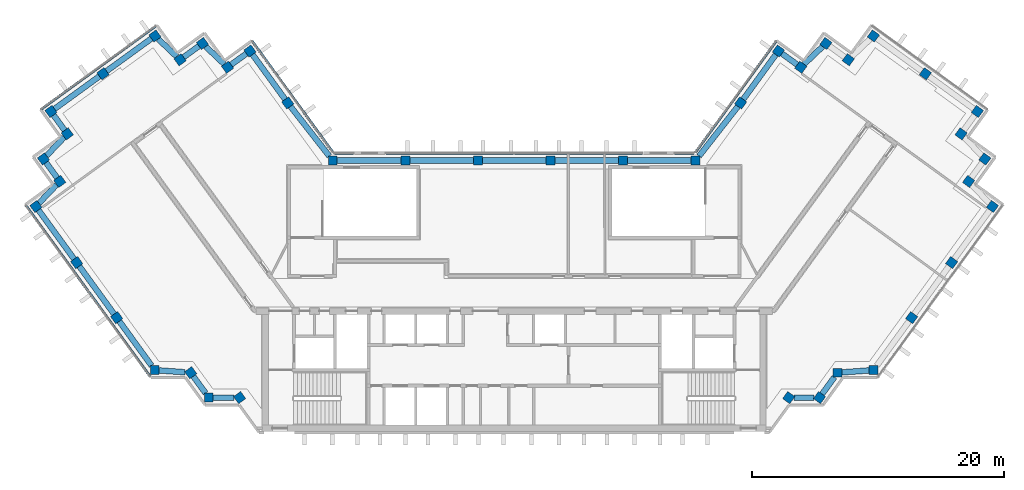
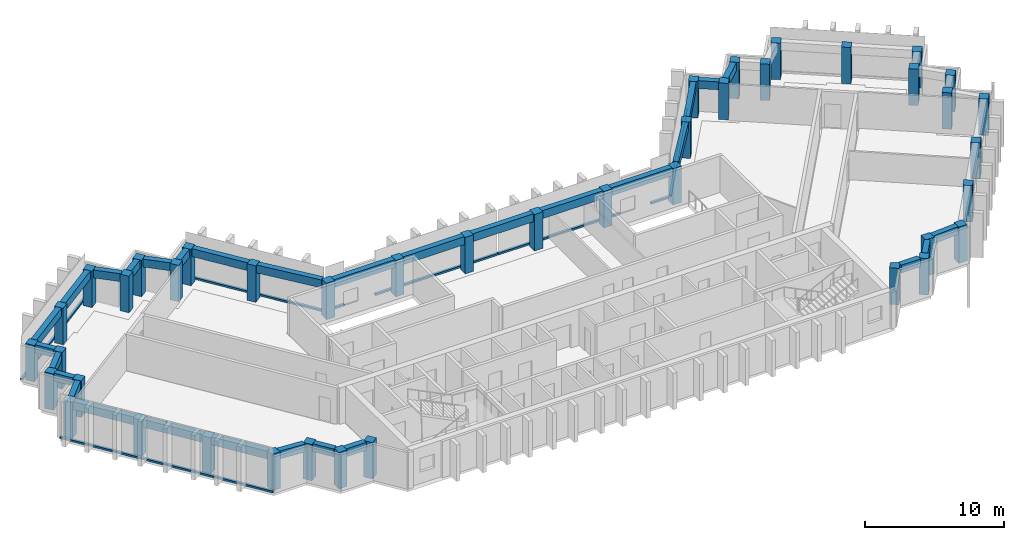
"""IFC4 building model written with IfcOpenShell, lengths in metres."""

from ifc_helpers import new_model, si_unit, direction, frame, origin, origin_2d, place, context, subcontext, project, spatial, rectangle, extrude, material, material_profile, profile_set, type_object, element, aggregate, save


model = new_model("IFC4")

# Units and contexts
model_context = context("Model", 3, precision=1e-05, world=origin(), true_north=direction((0.0, 1.0)))
body_context = subcontext(model_context, "Body", "Model", "MODEL_VIEW")
ifc_project = project(units=[si_unit("LENGTHUNIT", "METRE"), si_unit("AREAUNIT", "SQUARE_METRE"), si_unit("VOLUMEUNIT", "CUBIC_METRE"), si_unit("PLANEANGLEUNIT", "RADIAN"), si_unit("MASSUNIT", "GRAM", prefix="KILO")], contexts=[model_context])

# Site, building, storey
site_placement = place(None, origin())
site = spatial("IfcSite", under=ifc_project, at=site_placement, CompositionType="ELEMENT")
building_placement = place(site_placement, origin())
building = spatial("IfcBuilding", under=site, at=building_placement, Name="Quipu Civic Tower", CompositionType="ELEMENT")
storey_1_placement = place(building_placement, frame((0.0, 0.0, 351.0)))
storey_1 = spatial("IfcBuildingStorey", under=building, at=storey_1_placement, Name="L82", CompositionType="ELEMENT", Elevation=351.0)

# Columns
ifc_material_1 = material(Name="Concrete C40/50", Category="concrete")
ifc_material_profile_1 = material_profile(ifc_material_1, rectangle(XDim=0.699951171875, YDim=0.699951171875, at=origin_2d()), Name="RC700x700")
ifc_profile_set_1 = profile_set([ifc_material_profile_1], Name="Concrete C40/50")
column_type = type_object("IfcColumnType", Name="Perimeter column RC 700x700 C40/50", PredefinedType="COLUMN", material=ifc_profile_set_1)
for number, where, z_axis, x_axis, name in (
    (1, (-17.9736328125, 15.074951171875, 0.0), (0.0, 0.0, 1.0), (-0.587785252292, 0.809016994375, 0.0), "Column L82 W-IN-01"),
    (2, (-20.969970703125, 19.195068359375, 0.0), (0.0, 0.0, 1.0), (-0.587785252292, 0.809016994375, 0.0), "Column L82 T-Wi.0-W22"),
    (3, (-22.749267578125, 17.904296875, 0.0), (0.0, 0.0, 1.0), (-0.587785252292, 0.809016994375, 0.0), "Column L82 T-Wi.1-W22"),
    (4, (-24.739990234375, 19.794921875, 0.0), (0.0, 0.0, 1.0), (-0.587785252292, 0.809016994375, 0.0), "Column L82 T-Wi.2-W22"),
    (5, (-26.51904296875, 18.50048828125, 0.0), (0.0, 0.0, 1.0), (-0.587785252292, 0.809016994375, 0.0), "Column L82 T-Wi.3-W22"),
    (6, (-28.510009765625, 20.389892578125, 0.0), (0.0, 0.0, 1.0), (-0.809016994375, -0.587785252292, 0.0), "Column L82 T-Wi.4-W22"),
    (7, (-32.636962890625, 17.39306640625, 0.0), (0.0, 0.0, 1.0), (-0.809016994375, -0.587785252292, 0.0), "Column L82 TIP-W-01-W22"),
    (8, (-36.764892578125, 14.39501953125, 0.0), (0.0, 0.0, 1.0), (0.587785252292, -0.809016994375, 0.0), "Column L82 T-Wo.0-W22"),
    (9, (-35.470703125, 12.616455078125, 0.0), (0.0, 0.0, 1.0), (-0.809016994375, -0.587785252292, 0.0), "Column L82 T-Wo.1-W22"),
    (10, (-37.360107421875, 10.625, 0.0), (0.0, 0.0, 1.0), (0.587785252292, -0.809016994375, 0.0), "Column L82 T-Wo.2-W22"),
    (11, (-36.068115234375, 8.843994140625, 0.0), (0.0, 0.0, 1.0), (0.587785252292, -0.809016994375, 0.0), "Column L82 T-Wo.3-W22"),
    (12, (-37.9599609375, 6.85498046875, 0.0), (0.0, 0.0, 1.0), (0.587785252292, -0.809016994375, 0.0), "Column L82 T-Wo.4-W22"),
    (13, (-34.722412109375, 2.39990234375, 0.0), (0.0, 0.0, 1.0), (0.587785252292, -0.809016994375, 0.0), "Column L82 W-OUT-02"),
    (14, (-31.54833984375, -1.96875, 0.0), (0.0, 0.0, 1.0), (0.587785252292, -0.809016994375, 0.0), "Column L82 W-OUT-01"),
    (15, (-28.52490234375, -6.1298828125, 0.0), (0.0, 0.0, 1.0), (1.0, 0.0, 0.0), "Column L82 J-Wo.0"),
    (16, (-25.67431640625, -6.3369140625, 0.0), (0.0, 0.0, 1.0), (0.587785252292, -0.809016994375, 0.0), "Column L82 J-Wo.1"),
    (17, (-24.235107421875, -8.31494140625, 0.0), (0.0, 0.0, 1.0), (1.0, 0.0, 0.0), "Column L82 J-Wo.2"),
    (18, (-21.791748046875, -8.31494140625, 0.0), (0.0, 0.0, 1.0), (0.587785252292, -0.809016994375, 0.0), "Column L82 J-Wo.3"),
    (19, (21.791748046875, -8.31494140625, 0.0), (0.0, 0.0, 1.0), (0.587785252292, 0.809016994375, 0.0), "Column L82 J-Eo.1"),
    (20, (24.235107421875, -8.31494140625, 0.0), (0.0, 0.0, 1.0), (0.587785252292, 0.809016994375, 0.0), "Column L82 J-Eo.2"),
    (21, (25.67431640625, -6.3369140625, 0.0), (0.0, 0.0, 1.0), (1.0, 0.0, 0.0), "Column L82 J-Eo.3"),
    (22, (28.52490234375, -6.1298828125, 0.0), (0.0, 0.0, 1.0), (1.0, 0.0, 0.0), "Column L82 J-Eo.4"),
    (23, (31.54833984375, -1.96875, 0.0), (0.0, 0.0, 1.0), (0.587785252292, 0.809016994375, 0.0), "Column L82 E-OUT-01"),
    (24, (34.722412109375, 2.39990234375, 0.0), (0.0, 0.0, 1.0), (0.587785252292, 0.809016994375, 0.0), "Column L82 E-OUT-02"),
    (25, (37.9599609375, 6.85498046875, 0.0), (0.0, 0.0, 1.0), (0.587785252292, 0.809016994375, 0.0), "Column L82 T-Eo.0-E22"),
    (26, (36.068115234375, 8.843994140625, 0.0), (0.0, 0.0, 1.0), (0.587785252292, 0.809016994375, 0.0), "Column L82 T-Eo.1-E22"),
    (27, (37.360107421875, 10.625, 0.0), (0.0, 0.0, 1.0), (0.587785252292, 0.809016994375, 0.0), "Column L82 T-Eo.2-E22"),
    (28, (35.470703125, 12.616455078125, 0.0), (0.0, 0.0, 1.0), (-0.809016994375, 0.587785252292, 0.0), "Column L82 T-Eo.3-E22"),
    (29, (36.764892578125, 14.39501953125, 0.0), (0.0, 0.0, 1.0), (-0.809016994375, 0.587785252292, 0.0), "Column L82 T-Eo.4-E22"),
    (30, (32.636962890625, 17.39306640625, 0.0), (0.0, 0.0, 1.0), (-0.809016994375, 0.587785252292, 0.0), "Column L82 TIP-E-01-E22"),
    (31, (28.510009765625, 20.389892578125, 0.0), (0.0, 0.0, 1.0), (-0.587785252292, -0.809016994375, 0.0), "Column L82 T-Ei.0-E22"),
    (32, (26.51904296875, 18.50048828125, 0.0), (0.0, 0.0, 1.0), (-0.809016994375, 0.587785252292, 0.0), "Column L82 T-Ei.1-E22"),
    (33, (24.739990234375, 19.794921875, 0.0), (0.0, 0.0, 1.0), (-0.587785252292, -0.809016994375, 0.0), "Column L82 T-Ei.2-E22"),
    (34, (22.749267578125, 17.904296875, 0.0), (0.0, 0.0, 1.0), (-0.587785252292, -0.809016994375, 0.0), "Column L82 T-Ei.3-E22"),
    (35, (20.969970703125, 19.195068359375, 0.0), (0.0, 0.0, 1.0), (-0.587785252292, -0.809016994375, 0.0), "Column L82 T-Ei.4-E22"),
    (36, (17.9736328125, 15.074951171875, 0.0), (0.0, 0.0, 1.0), (-0.587785252292, -0.809016994375, 0.0), "Column L82 E-IN-01"),
    (37, (14.395263671875, 10.5, 0.0), (0.0, 0.0, 1.0), (-1.0, 0.0, 0.0), "Column L82 J-Ei.0"),
    (38, (8.63720703125, 10.5, 0.0), (0.0, 0.0, 1.0), (-1.0, 0.0, 0.0), "Column L82 FRONT-01"),
    (39, (2.87890625, 10.5, 0.0), (0.0, 0.0, 1.0), (-1.0, 0.0, 0.0), "Column L82 FRONT-02"),
    (40, (-2.87890625, 10.5, 0.0), (0.0, 0.0, 1.0), (-1.0, 0.0, 0.0), "Column L82 FRONT-03"),
    (41, (-8.63720703125, 10.5, 0.0), (0.0, 0.0, 1.0), (-1.0, 0.0, 0.0), "Column L82 FRONT-04"),
    (42, (-14.395263671875, 10.5, 0.0), (0.0, 0.0, 1.0), (-1.0, 0.0, 0.0), "Column L82 J-Wi.0"),
):
    element("IfcColumn", number, at=place(storey_1_placement, frame(where, z_axis=z_axis, x_axis=x_axis)), inside=storey_1, type_object=column_type, Name=name, PredefinedType="COLUMN", context=body_context, shape_type="SweptSolid", body=[
        extrude(rectangle(XDim=0.699951171875, YDim=0.699951171875, at=origin_2d()), origin(), (0.0, 0.0, 1.0), 3.199951171875),
    ])

# Beams
ifc_material_2 = material(Name="Concrete C50/60", Category="concrete")
ifc_material_profile_2 = material_profile(ifc_material_2, rectangle(XDim=0.449951171875, YDim=0.699951171875, at=origin_2d()), Name="RC450x700")
ifc_profile_set_2 = profile_set([ifc_material_profile_2], Name="Concrete C50/60")
beam_type = type_object("IfcBeamType", Name="Spandrel beam RC 450x700 C50/60", PredefinedType="SPANDREL", material=ifc_profile_set_2)
beam_1_placement = place(storey_1_placement, frame((-18.179443359375, 15.358154296875, 2.85009765625), z_axis=(-0.588201428764, 0.808714460857, 0.0), x_axis=(-0.808714460857, -0.588201428764, 0.0)))
element("IfcBeam", 43, at=beam_1_placement, inside=storey_1, type_object=beam_type, Name="Spandrel beam L82 W-IN-01 to T-Wi.0-W22", PredefinedType="SPANDREL", context=body_context, shape_type="SweptSolid", body=[
    extrude(rectangle(XDim=0.449951171875, YDim=0.699951171875, at=origin_2d()), origin(), (0.0, 0.0, 1.0), 4.394287109375),
])
beam_2_placement = place(storey_1_placement, frame((-21.25341796875, 18.989501953125, 2.85009765625), z_axis=(-0.809461336076, -0.587173181776, 0.0), x_axis=(0.587173181776, -0.809461336076, 0.0)))
element("IfcBeam", 44, at=beam_2_placement, inside=storey_1, type_object=beam_type, Name="Spandrel beam L82 T-Wi.0-W22 to T-Wi.1-W22", PredefinedType="SPANDREL", context=body_context, shape_type="SweptSolid", body=[
    extrude(rectangle(XDim=0.449951171875, YDim=0.699951171875, at=origin_2d()), origin(), (0.0, 0.0, 1.0), 1.498046875),
])
beam_3_placement = place(storey_1_placement, frame((-23.00732421875, 18.1494140625, 2.85009765625), z_axis=(-0.72511931772, 0.6886232461, 0.0), x_axis=(-0.6886232461, -0.72511931772, 0.0)))
element("IfcBeam", 45, at=beam_3_placement, inside=storey_1, type_object=beam_type, Name="Spandrel beam L82 T-Wi.1-W22 to T-Wi.2-W22", PredefinedType="SPANDREL", context=body_context, shape_type="SweptSolid", body=[
    extrude(rectangle(XDim=0.449951171875, YDim=0.699951171875, at=origin_2d()), origin(), (0.0, 0.0, 1.0), 2.03369140625),
])
beam_4_placement = place(storey_1_placement, frame((-25.02294921875, 19.589111328125, 2.85009765625), z_axis=(-0.808644589435, -0.588297482553, 0.0), x_axis=(0.588297482553, -0.808644589435, 0.0)))
element("IfcBeam", 46, at=beam_4_placement, inside=storey_1, type_object=beam_type, Name="Spandrel beam L82 T-Wi.2-W22 to T-Wi.3-W22", PredefinedType="SPANDREL", context=body_context, shape_type="SweptSolid", body=[
    extrude(rectangle(XDim=0.449951171875, YDim=0.699951171875, at=origin_2d()), origin(), (0.0, 0.0, 1.0), 1.500244140625),
])
beam_5_placement = place(storey_1_placement, frame((-26.777099609375, 18.74560546875, 2.85009765625), z_axis=(-0.725359138958, 0.688370626574, 0.0), x_axis=(-0.688370626574, -0.725359138958, 0.0)))
element("IfcBeam", 47, at=beam_5_placement, inside=storey_1, type_object=beam_type, Name="Spandrel beam L82 T-Wi.3-W22 to T-Wi.4-W22", PredefinedType="SPANDREL", context=body_context, shape_type="SweptSolid", body=[
    extrude(rectangle(XDim=0.449951171875, YDim=0.699951171875, at=origin_2d()), origin(), (0.0, 0.0, 1.0), 2.032958984375),
])
beam_6_placement = place(storey_1_placement, frame((-28.793212890625, 20.184326171875, 2.85009765625), z_axis=(-0.809146152767, -0.587607439931, 0.0), x_axis=(0.587607439931, -0.809146152767, 0.0)))
element("IfcBeam", 48, at=beam_6_placement, inside=storey_1, type_object=beam_type, Name="Spandrel beam L82 T-Wi.4-W22 to TIP-W-01-W22", PredefinedType="SPANDREL", context=body_context, shape_type="SweptSolid", body=[
    extrude(rectangle(XDim=0.449951171875, YDim=0.699951171875, at=origin_2d()), origin(), (0.0, 0.0, 1.0), 4.400390625),
])
beam_7_placement = place(storey_1_placement, frame((-32.920166015625, 17.187255859375, 2.85009765625), z_axis=(-0.809117270763, -0.587647208921, 0.0), x_axis=(0.587647208921, -0.809117270763, 0.0)))
element("IfcBeam", 49, at=beam_7_placement, inside=storey_1, type_object=beam_type, Name="Spandrel beam L82 TIP-W-01-W22 to T-Wo.0-W22", PredefinedType="SPANDREL", context=body_context, shape_type="SweptSolid", body=[
    extrude(rectangle(XDim=0.449951171875, YDim=0.699951171875, at=origin_2d()), origin(), (0.0, 0.0, 1.0), 4.40185546875),
])
beam_8_placement = place(storey_1_placement, frame((-36.55908203125, 14.112060546875, 2.85009765625), z_axis=(0.588345920092, -0.808609348394, 0.0), x_axis=(0.808609348394, 0.588345920092, 0.0)))
element("IfcBeam", 50, at=beam_8_placement, inside=storey_1, type_object=beam_type, Name="Spandrel beam L82 T-Wo.0-W22 to T-Wo.1-W22", PredefinedType="SPANDREL", context=body_context, shape_type="SweptSolid", body=[
    extrude(rectangle(XDim=0.449951171875, YDim=0.699951171875, at=origin_2d()), origin(), (0.0, 0.0, 1.0), 1.499755859375),
])
beam_9_placement = place(storey_1_placement, frame((-35.7158203125, 12.358154296875, 2.85009765625), z_axis=(-0.688247466856, -0.725475998477, 0.0), x_axis=(0.725475998477, -0.688247466856, 0.0)))
element("IfcBeam", 51, at=beam_9_placement, inside=storey_1, type_object=beam_type, Name="Spandrel beam L82 T-Wo.1-W22 to T-Wo.2-W22", PredefinedType="SPANDREL", context=body_context, shape_type="SweptSolid", body=[
    extrude(rectangle(XDim=0.449951171875, YDim=0.699951171875, at=origin_2d()), origin(), (0.0, 0.0, 1.0), 2.032958984375),
])
beam_10_placement = place(storey_1_placement, frame((-37.154541015625, 10.341796875, 2.85009765625), z_axis=(0.587164895097, -0.809467347066, 0.0), x_axis=(0.809467347066, 0.587164895097, 0.0)))
element("IfcBeam", 52, at=beam_10_placement, inside=storey_1, type_object=beam_type, Name="Spandrel beam L82 T-Wo.2-W22 to T-Wo.3-W22", PredefinedType="SPANDREL", context=body_context, shape_type="SweptSolid", body=[
    extrude(rectangle(XDim=0.449951171875, YDim=0.699951171875, at=origin_2d()), origin(), (0.0, 0.0, 1.0), 1.500244140625),
])
beam_11_placement = place(storey_1_placement, frame((-36.3134765625, 8.586181640625, 2.85009765625), z_axis=(-0.689175330605, -0.724594620244, 0.0), x_axis=(0.724594620244, -0.689175330605, 0.0)))
element("IfcBeam", 53, at=beam_11_placement, inside=storey_1, type_object=beam_type, Name="Spandrel beam L82 T-Wo.3-W22 to T-Wo.4-W22", PredefinedType="SPANDREL", context=body_context, shape_type="SweptSolid", body=[
    extrude(rectangle(XDim=0.449951171875, YDim=0.699951171875, at=origin_2d()), origin(), (0.0, 0.0, 1.0), 2.033447265625),
])
beam_12_placement = place(storey_1_placement, frame((-37.754150390625, 6.57177734375, 2.85009765625), z_axis=(0.587905928359, -0.808929304328, 0.0), x_axis=(0.808929304328, 0.587905928359, 0.0)))
element("IfcBeam", 54, at=beam_12_placement, inside=storey_1, type_object=beam_type, Name="Spandrel beam L82 T-Wo.4-W22 to W-OUT-02", PredefinedType="SPANDREL", context=body_context, shape_type="SweptSolid", body=[
    extrude(rectangle(XDim=0.449951171875, YDim=0.699951171875, at=origin_2d()), origin(), (0.0, 0.0, 1.0), 4.80712890625),
])
beam_13_placement = place(storey_1_placement, frame((-34.5166015625, 2.116943359375, 2.85009765625), z_axis=(0.587788656305, -0.809014521204, 0.0), x_axis=(0.809014521204, 0.587788656305, 0.0)))
element("IfcBeam", 55, at=beam_13_placement, inside=storey_1, type_object=beam_type, Name="Spandrel beam L82 W-OUT-02 to W-OUT-01", PredefinedType="SPANDREL", context=body_context, shape_type="SweptSolid", body=[
    extrude(rectangle(XDim=0.449951171875, YDim=0.699951171875, at=origin_2d()), origin(), (0.0, 0.0, 1.0), 4.7001953125),
])
beam_14_placement = place(storey_1_placement, frame((-31.342529296875, -2.251953125, 2.85009765625), z_axis=(0.58777550284, -0.809024077677, 0.0), x_axis=(0.809024077677, 0.58777550284, 0.0)))
element("IfcBeam", 56, at=beam_14_placement, inside=storey_1, type_object=beam_type, Name="Spandrel beam L82 W-OUT-01 to J-Wo.0", PredefinedType="SPANDREL", context=body_context, shape_type="SweptSolid", body=[
    extrude(rectangle(XDim=0.449951171875, YDim=0.699951171875, at=origin_2d()), origin(), (0.0, 0.0, 1.0), 4.36083984375),
])
beam_15_placement = place(storey_1_placement, frame((-28.175048828125, -6.155517578125, 2.85009765625), z_axis=(0.99737333325, -0.072432272649, 0.0), x_axis=(0.072432272649, 0.99737333325, 0.0)))
element("IfcBeam", 57, at=beam_15_placement, inside=storey_1, type_object=beam_type, Name="Spandrel beam L82 J-Wo.0 to J-Wo.1", PredefinedType="SPANDREL", context=body_context, shape_type="SweptSolid", body=[
    extrude(rectangle(XDim=0.449951171875, YDim=0.699951171875, at=origin_2d()), origin(), (0.0, 0.0, 1.0), 2.04931640625),
])
beam_16_placement = place(storey_1_placement, frame((-25.468505859375, -6.6201171875, 2.85009765625), z_axis=(0.588407300614, -0.80856468423, 0.0), x_axis=(0.80856468423, 0.588407300614, 0.0)))
element("IfcBeam", 58, at=beam_16_placement, inside=storey_1, type_object=beam_type, Name="Spandrel beam L82 J-Wo.1 to J-Wo.2", PredefinedType="SPANDREL", context=body_context, shape_type="SweptSolid", body=[
    extrude(rectangle(XDim=0.449951171875, YDim=0.699951171875, at=origin_2d()), origin(), (0.0, 0.0, 1.0), 1.663330078125),
])
beam_17_placement = place(storey_1_placement, frame((-23.885009765625, -8.31494140625, 2.85009765625), z_axis=(1.0, 0.0, 0.0), x_axis=(0.0, 1.0, 0.0)))
element("IfcBeam", 59, at=beam_17_placement, inside=storey_1, type_object=beam_type, Name="Spandrel beam L82 J-Wo.2 to J-Wo.3", PredefinedType="SPANDREL", context=body_context, shape_type="SweptSolid", body=[
    extrude(rectangle(XDim=0.449951171875, YDim=0.699951171875, at=origin_2d()), origin(), (0.0, 0.0, 1.0), 1.66064453125),
])
beam_18_placement = place(storey_1_placement, frame((22.224365234375, -8.31494140625, 2.85009765625), z_axis=(1.0, 0.0, 0.0), x_axis=(0.0, 1.0, 0.0)))
element("IfcBeam", 60, at=beam_18_placement, inside=storey_1, type_object=beam_type, Name="Spandrel beam L82 J-Eo.1 to J-Eo.2", PredefinedType="SPANDREL", context=body_context, shape_type="SweptSolid", body=[
    extrude(rectangle(XDim=0.449951171875, YDim=0.699951171875, at=origin_2d()), origin(), (0.0, 0.0, 1.0), 1.578125),
])
beam_19_placement = place(storey_1_placement, frame((24.44091796875, -8.031982421875, 2.85009765625), z_axis=(0.588407300614, 0.80856468423, 0.0), x_axis=(-0.80856468423, 0.588407300614, 0.0)))
element("IfcBeam", 61, at=beam_19_placement, inside=storey_1, type_object=beam_type, Name="Spandrel beam L82 J-Eo.2 to J-Eo.3", PredefinedType="SPANDREL", context=body_context, shape_type="SweptSolid", body=[
    extrude(rectangle(XDim=0.449951171875, YDim=0.699951171875, at=origin_2d()), origin(), (0.0, 0.0, 1.0), 1.663330078125),
])
beam_20_placement = place(storey_1_placement, frame((26.0244140625, -6.3115234375, 2.85009765625), z_axis=(0.997379352029, 0.072349347934, 0.0), x_axis=(-0.072349347934, 0.997379352029, 0.0)))
element("IfcBeam", 62, at=beam_20_placement, inside=storey_1, type_object=beam_type, Name="Spandrel beam L82 J-Eo.3 to J-Eo.4", PredefinedType="SPANDREL", context=body_context, shape_type="SweptSolid", body=[
    extrude(rectangle(XDim=0.449951171875, YDim=0.699951171875, at=origin_2d()), origin(), (0.0, 0.0, 1.0), 2.15625),
])
beam_21_placement = place(storey_1_placement, frame((24.48193359375, 19.5498046875, 2.85009765625), z_axis=(-0.72511931772, -0.6886232461, 0.0), x_axis=(0.6886232461, -0.72511931772, 0.0)))
element("IfcBeam", 63, at=beam_21_placement, inside=storey_1, type_object=beam_type, Name="Spandrel beam L82 T-Ei.2-E22 to T-Ei.3-E22", PredefinedType="SPANDREL", context=body_context, shape_type="SweptSolid", body=[
    extrude(rectangle(XDim=0.449951171875, YDim=0.699951171875, at=origin_2d()), origin(), (0.0, 0.0, 1.0), 2.03369140625),
])
beam_22_placement = place(storey_1_placement, frame((22.466064453125, 18.10986328125, 2.85009765625), z_axis=(-0.809461336076, 0.587173181776, 0.0), x_axis=(-0.587173181776, -0.809461336076, 0.0)))
element("IfcBeam", 64, at=beam_22_placement, inside=storey_1, type_object=beam_type, Name="Spandrel beam L82 T-Ei.3-E22 to T-Ei.4-E22", PredefinedType="SPANDREL", context=body_context, shape_type="SweptSolid", body=[
    extrude(rectangle(XDim=0.449951171875, YDim=0.699951171875, at=origin_2d()), origin(), (0.0, 0.0, 1.0), 1.498046875),
])
beam_23_placement = place(storey_1_placement, frame((20.76416015625, 18.911865234375, 2.85009765625), z_axis=(-0.588201428764, -0.808714460857, 0.0), x_axis=(0.808714460857, -0.588201428764, 0.0)))
element("IfcBeam", 65, at=beam_23_placement, inside=storey_1, type_object=beam_type, Name="Spandrel beam L82 T-Ei.4-E22 to E-IN-01", PredefinedType="SPANDREL", context=body_context, shape_type="SweptSolid", body=[
    extrude(rectangle(XDim=0.449951171875, YDim=0.699951171875, at=origin_2d()), origin(), (0.0, 0.0, 1.0), 4.394287109375),
])
beam_24_placement = place(storey_1_placement, frame((17.7578125, 14.799072265625, 2.85009765625), z_axis=(-0.616106034519, -0.787663223865, 0.0), x_axis=(0.787663223865, -0.616106034519, 0.0)))
element("IfcBeam", 66, at=beam_24_placement, inside=storey_1, type_object=beam_type, Name="Spandrel beam L82 E-IN-01 to J-Ei.0", PredefinedType="SPANDREL", context=body_context, shape_type="SweptSolid", body=[
    extrude(rectangle(XDim=0.449951171875, YDim=0.699951171875, at=origin_2d()), origin(), (0.0, 0.0, 1.0), 5.013427734375),
])
for number, where, z_axis, x_axis, name in (
    (67, (14.045166015625, 10.5, 2.85009765625), (-1.0, 0.0, 0.0), (0.0, -1.0, 0.0), "Spandrel beam L82 J-Ei.0 to FRONT-01"),
    (68, (8.287109375, 10.5, 2.85009765625), (-1.0, 0.0, 0.0), (0.0, -1.0, 0.0), "Spandrel beam L82 FRONT-01 to FRONT-02"),
    (69, (2.529052734375, 10.5, 2.85009765625), (-1.0, 0.0, 0.0), (0.0, -1.0, 0.0), "Spandrel beam L82 FRONT-02 to FRONT-03"),
    (70, (-3.22900390625, 10.5, 2.85009765625), (-1.0, 0.0, 0.0), (0.0, -1.0, 0.0), "Spandrel beam L82 FRONT-03 to FRONT-04"),
    (71, (-8.987060546875, 10.5, 2.85009765625), (-1.0, 0.0, 0.0), (0.0, -1.0, 0.0), "Spandrel beam L82 FRONT-04 to J-Wi.0"),
):
    element("IfcBeam", number, at=place(storey_1_placement, frame(where, z_axis=z_axis, x_axis=x_axis)), inside=storey_1, type_object=beam_type, Name=name, PredefinedType="SPANDREL", context=body_context, shape_type="SweptSolid", body=[
        extrude(rectangle(XDim=0.449951171875, YDim=0.699951171875, at=origin_2d()), origin(), (0.0, 0.0, 1.0), 5.05810546875),
    ])
beam_25_placement = place(storey_1_placement, frame((-14.6689453125, 10.85009765625, 2.85009765625), z_axis=(-0.616106034519, 0.787663223865, 0.0), x_axis=(-0.787663223865, -0.616106034519, 0.0)))
element("IfcBeam", 72, at=beam_25_placement, inside=storey_1, type_object=beam_type, Name="Spandrel beam L82 J-Wi.0 to W-IN-01", PredefinedType="SPANDREL", context=body_context, shape_type="SweptSolid", body=[
    extrude(rectangle(XDim=0.449951171875, YDim=0.699951171875, at=origin_2d()), origin(), (0.0, 0.0, 1.0), 5.013427734375),
])

# Storey
storey_2_placement = place(building_placement, frame((0.0, 0.0, 347.0)))
storey_2 = spatial("IfcBuildingStorey", under=building, at=storey_2_placement, Name="L81", CompositionType="ELEMENT", Elevation=347.0)

# Curtain wall, member
ifc_material_3 = material(Name="Insulated glass unit", Category="glass")
curtain_wall_type = type_object("IfcCurtainWallType", Name="Office curtain wall CW1", PredefinedType="NOTDEFINED", material=ifc_material_3)
curtain_wall_1_placement = place(storey_2_placement, origin())
curtain_wall_1 = element("IfcCurtainWall", 73, at=curtain_wall_1_placement, inside=storey_2, type_object=curtain_wall_type, Name="Office curtain wall CW1 L80 run 1", PredefinedType="NOTDEFINED")
ifc_material_4 = material(Name="Anodised aluminium", Category="aluminium")
ifc_material_profile_3 = material_profile(ifc_material_4, rectangle(XDim=0.199951171875, YDim=0.159912109375, at=origin_2d()), Name="RECT 200x160")
ifc_profile_set_3 = profile_set([ifc_material_profile_3], Name="Anodised aluminium")
member_type = type_object("IfcMemberType", Name="Transom CW1", PredefinedType="USERDEFINED", material=ifc_profile_set_3)
member_1_placement = place(storey_1_placement, frame((-14.39111328125, 11.164794921875, 0.080078125), z_axis=(-0.587796859727, 0.809008560953, 0.0), x_axis=(-0.809008560953, -0.587796859727, 0.0)))
member_1 = element("IfcMember", 74, at=member_1_placement, inside=storey_1, type_object=member_type, Name="CW1 transom 1.3", ObjectType="TRANSOM", PredefinedType="USERDEFINED", context=body_context, shape_type="SweptSolid", body=[
    extrude(rectangle(XDim=0.199951171875, YDim=0.159912109375, at=origin_2d()), origin(), (0.0, 0.0, 1.0), 10.88427734375),
])
aggregate(curtain_wall_1, [member_1])

curtain_wall_2_placement = place(storey_2_placement, origin())
curtain_wall_2 = element("IfcCurtainWall", 75, at=curtain_wall_2_placement, inside=storey_2, type_object=curtain_wall_type, Name="Office curtain wall CW1 L80 run 6", PredefinedType="NOTDEFINED")
member_2_placement = place(storey_1_placement, frame((-28.443359375, 21.1826171875, 0.080078125), z_axis=(-0.809022463805, -0.587777724194, 0.0), x_axis=(0.587777724194, -0.809022463805, 0.0)))
member_2 = element("IfcMember", 76, at=member_2_placement, inside=storey_1, type_object=member_type, Name="CW1 transom 1.3", ObjectType="TRANSOM", PredefinedType="USERDEFINED", context=body_context, shape_type="SweptSolid", body=[
    extrude(rectangle(XDim=0.199951171875, YDim=0.159912109375, at=origin_2d()), origin(), (0.0, 0.0, 1.0), 11.240234375),
])
aggregate(curtain_wall_2, [member_2])

# Curtain wall, members
curtain_wall_3_placement = place(storey_2_placement, origin())
curtain_wall_3 = element("IfcCurtainWall", 77, at=curtain_wall_3_placement, inside=storey_2, type_object=curtain_wall_type, Name="Office curtain wall CW1 L80 run 11", PredefinedType="NOTDEFINED")
member_3_placement = place(storey_1_placement, frame((-38.7490234375, 6.92138671875, 0.080078125), z_axis=(0.587779098815, -0.809021465102, 0.0), x_axis=(0.809021465102, 0.587779098815, 0.0)))
member_3 = element("IfcMember", 78, at=member_3_placement, inside=storey_1, type_object=member_type, Name="CW1 transom 1.3", ObjectType="TRANSOM", PredefinedType="USERDEFINED", context=body_context, shape_type="SweptSolid", body=[
    extrude(rectangle(XDim=0.199951171875, YDim=0.159912109375, at=origin_2d()), origin(), (0.0, 0.0, 1.0), 8.35791015625),
])
member_4_placement = place(storey_1_placement, frame((-33.78955078125, 0.094970703125, 0.080078125), z_axis=(0.587812107925, -0.808997481935, 0.0), x_axis=(0.808997481935, 0.587812107925, 0.0)))
member_4 = element("IfcMember", 79, at=member_4_placement, inside=storey_1, type_object=member_type, Name="CW1 transom 2.3", ObjectType="TRANSOM", PredefinedType="USERDEFINED", context=body_context, shape_type="SweptSolid", body=[
    extrude(rectangle(XDim=0.199951171875, YDim=0.159912109375, at=origin_2d()), origin(), (0.0, 0.0, 1.0), 8.35791015625),
])
aggregate(curtain_wall_3, [member_3, member_4])

# Curtain wall, member
curtain_wall_4_placement = place(storey_2_placement, origin())
curtain_wall_4 = element("IfcCurtainWall", 80, at=curtain_wall_4_placement, inside=storey_2, type_object=curtain_wall_type, Name="Office curtain wall CW1 L80 run 26", PredefinedType="NOTDEFINED")
member_5_placement = place(storey_1_placement, frame((20.788818359375, 19.97021484375, 0.080078125), z_axis=(-0.587796859727, -0.809008560953, 0.0), x_axis=(0.809008560953, -0.587796859727, 0.0)))
member_5 = element("IfcMember", 81, at=member_5_placement, inside=storey_1, type_object=member_type, Name="CW1 transom 1.3", ObjectType="TRANSOM", PredefinedType="USERDEFINED", context=body_context, shape_type="SweptSolid", body=[
    extrude(rectangle(XDim=0.199951171875, YDim=0.159912109375, at=origin_2d()), origin(), (0.0, 0.0, 1.0), 10.88427734375),
])
aggregate(curtain_wall_4, [member_5])

curtain_wall_5_placement = place(storey_2_placement, origin())
curtain_wall_5 = element("IfcCurtainWall", 82, at=curtain_wall_5_placement, inside=storey_2, type_object=curtain_wall_type, Name="Office curtain wall CW1 L80 run 27", PredefinedType="NOTDEFINED")
member_6_placement = place(storey_1_placement, frame((14.26416015625, 11.10009765625, 0.080078125), z_axis=(-1.0, 0.0, 0.0), x_axis=(0.0, -1.0, 0.0)))
member_6 = element("IfcMember", 83, at=member_6_placement, inside=storey_1, type_object=member_type, Name="CW1 transom 1.3", ObjectType="TRANSOM", PredefinedType="USERDEFINED", context=body_context, shape_type="SweptSolid", body=[
    extrude(rectangle(XDim=0.199951171875, YDim=0.159912109375, at=origin_2d()), origin(), (0.0, 0.0, 1.0), 1.529052734375),
])
aggregate(curtain_wall_5, [member_6])

# Curtain wall, members
curtain_wall_6_placement = place(storey_2_placement, origin())
curtain_wall_6 = element("IfcCurtainWall", 84, at=curtain_wall_6_placement, inside=storey_2, type_object=curtain_wall_type, Name="Office curtain wall CW1 L80 run 29", PredefinedType="NOTDEFINED")
member_7_placement = place(storey_1_placement, frame((10.18359375, 11.10009765625, 0.080078125), z_axis=(-1.0, 0.0, 0.0), x_axis=(0.0, -1.0, 0.0)))
member_7 = element("IfcMember", 85, at=member_7_placement, inside=storey_1, type_object=member_type, Name="CW1 transom 1.3", ObjectType="TRANSOM", PredefinedType="USERDEFINED", context=body_context, shape_type="SweptSolid", body=[
    extrude(rectangle(XDim=0.199951171875, YDim=0.159912109375, at=origin_2d()), origin(), (0.0, 0.0, 1.0), 10.1435546875),
])
member_8_placement = place(storey_1_placement, frame((-0.0400390625, 11.10009765625, 0.080078125), z_axis=(-1.0, 0.0, 0.0), x_axis=(0.0, -1.0, 0.0)))
member_8 = element("IfcMember", 86, at=member_8_placement, inside=storey_1, type_object=member_type, Name="CW1 transom 2.3", ObjectType="TRANSOM", PredefinedType="USERDEFINED", context=body_context, shape_type="SweptSolid", body=[
    extrude(rectangle(XDim=0.199951171875, YDim=0.159912109375, at=origin_2d()), origin(), (0.0, 0.0, 1.0), 10.1435546875),
])
aggregate(curtain_wall_6, [member_7, member_8])

# Curtain wall, member
curtain_wall_7_placement = place(storey_2_placement, origin())
curtain_wall_7 = element("IfcCurtainWall", 87, at=curtain_wall_7_placement, inside=storey_2, type_object=curtain_wall_type, Name="Office curtain wall CW1 L80 run 31", PredefinedType="NOTDEFINED")
member_9_placement = place(storey_1_placement, frame((-12.735107421875, 11.10009765625, 0.080078125), z_axis=(-1.0, 0.0, 0.0), x_axis=(0.0, -1.0, 0.0)))
member_9 = element("IfcMember", 88, at=member_9_placement, inside=storey_1, type_object=member_type, Name="CW1 transom 1.3", ObjectType="TRANSOM", PredefinedType="USERDEFINED", context=body_context, shape_type="SweptSolid", body=[
    extrude(rectangle(XDim=0.199951171875, YDim=0.159912109375, at=origin_2d()), origin(), (0.0, 0.0, 1.0), 1.529052734375),
])
aggregate(curtain_wall_7, [member_9])

save(model, "model.ifc")
